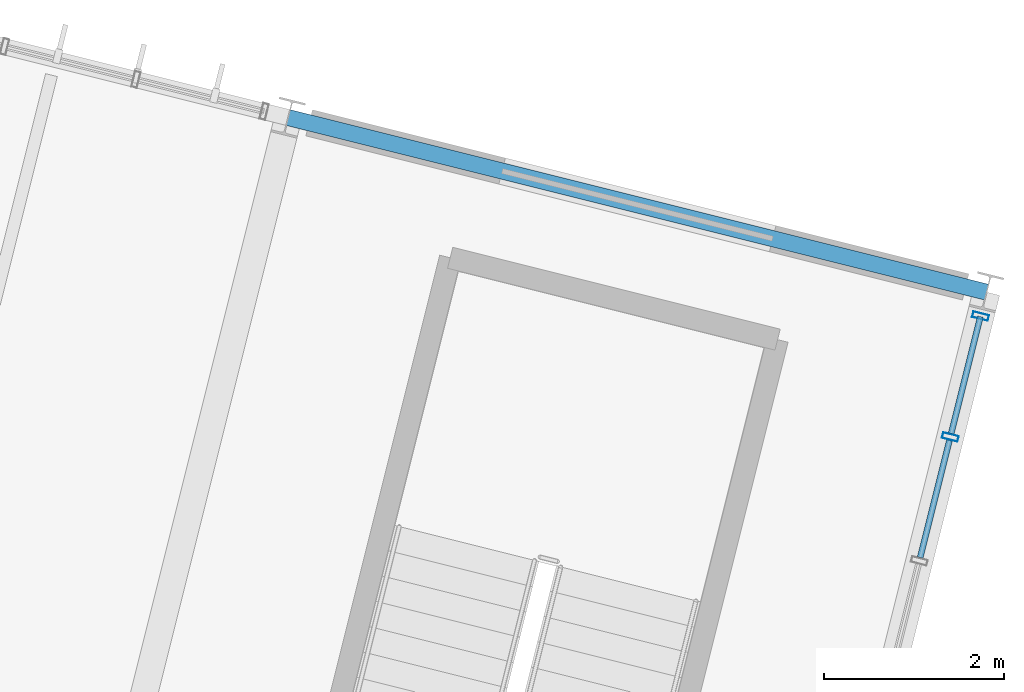
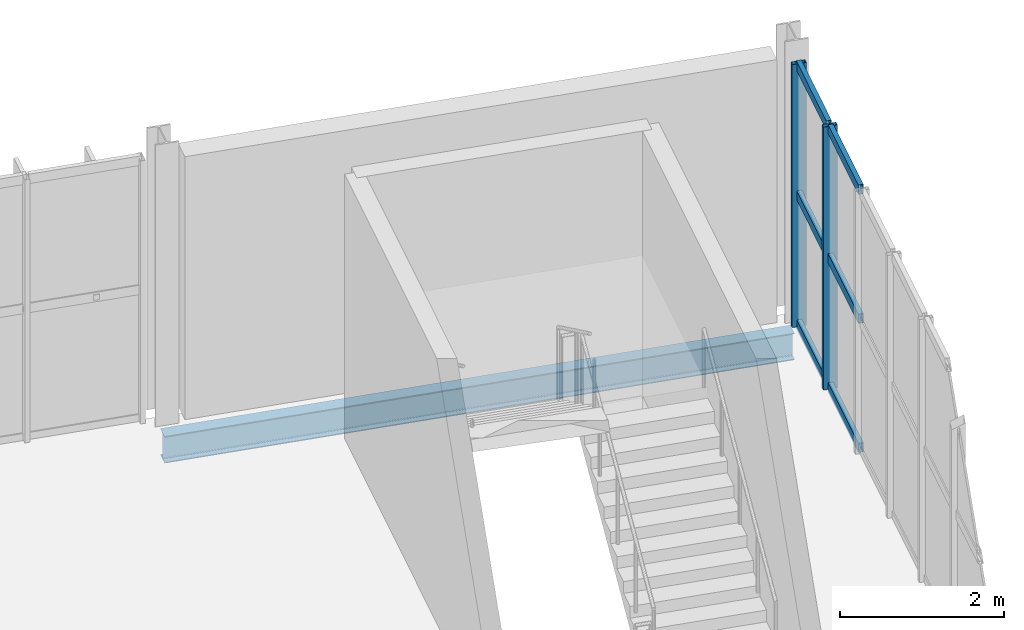
# One storey, part 39 of 61: 8 members, 1 beam, 1 element without a shape of its own.
"""IFC4 building model written with IfcOpenShell, lengths in metres."""

from ifc_helpers import new_model, si_unit, derived_unit, direction, frame, origin, origin_2d, place, context, subcontext, project, spatial, hollow_rectangle, i_section, extrude, material, material_profile, profile_set, type_object, element, aggregate, save


model = new_model("IFC4")

# Units and contexts
model_context = context("Model", 3, precision=1e-05, world=origin(), true_north=direction((0.0, 1.0)))
body_context = subcontext(model_context, "Body", "Model", "MODEL_VIEW")
ifc_project = project(units=[si_unit("LENGTHUNIT", "METRE"), si_unit("AREAUNIT", "SQUARE_METRE"), si_unit("VOLUMEUNIT", "CUBIC_METRE"), si_unit("PLANEANGLEUNIT", "RADIAN"), si_unit("MASSUNIT", "GRAM", prefix="KILO"), si_unit("THERMODYNAMICTEMPERATUREUNIT", "KELVIN"), si_unit("TIMEUNIT", "SECOND"), derived_unit("THERMALTRANSMITTANCEUNIT", [(si_unit("MASSUNIT", "GRAM", prefix="KILO"), 1), (si_unit("THERMODYNAMICTEMPERATUREUNIT", "KELVIN"), -1), (si_unit("TIMEUNIT", "SECOND"), -3)])], contexts=[model_context])

# Site, building, storey
site_placement = place(None, origin())
site = spatial("IfcSite", under=ifc_project, at=site_placement, CompositionType="ELEMENT")
building_placement = place(site_placement, origin())
building = spatial("IfcBuilding", under=site, at=building_placement, Name="Cambertide Market Hall", CompositionType="ELEMENT")
storey_placement = place(building_placement, frame((0.0, 0.0, 9.89990234375)))
storey = spatial("IfcBuildingStorey", under=building, at=storey_placement, Name="L03", CompositionType="ELEMENT", Elevation=9.89990234375)

# Curtain wall, members
ifc_material_1 = material(Name="Marine Anodized Aluminium 6063-T6 AA25", Category="aluminium")
curtain_wall_type = type_object("IfcCurtainWallType", Name="Cooking School Classroom Curtain Wall", PredefinedType="USERDEFINED", material=ifc_material_1)
curtain_wall_placement = place(storey_placement, origin())
curtain_wall = element("IfcCurtainWall", 1, at=curtain_wall_placement, inside=storey, type_object=curtain_wall_type, Name="Level 3 Curtain Wall CW-V4E-L03-3", ObjectType="UNITIZED CURTAIN WALL", PredefinedType="USERDEFINED")
ifc_material_2 = material(Name="Champagne Marine Anodized Aluminium 6063-T6 AA25", Category="aluminium")
ifc_material_profile_1 = material_profile(ifc_material_2, hollow_rectangle(XDim=0.06494140625, YDim=0.179931640625, WallThickness=0.00390625, at=origin_2d()), Name="ALU MULLION 65x180")
ifc_profile_set_1 = profile_set([ifc_material_profile_1], Name="Champagne Marine Anodized Aluminium 6063-T6 AA25")
member_type_1 = type_object("IfcMemberType", Name="Curtain Wall Mullion ALU MULLION 65x180", PredefinedType="MULLION", material=ifc_profile_set_1)
member_1_placement = place(storey_placement, frame((176.57080078125, 110.40478515625, 0.0), z_axis=(0.0, 0.0, 1.0), x_axis=(-0.242535569805, -0.970142513953, 0.0)))
member_1 = element("IfcMember", 2, at=member_1_placement, type_object=member_type_1, Name="CW-V4E-L03-3 Mullion 1", PredefinedType="MULLION", context=body_context, shape_type="SweptSolid", body=[
    extrude(hollow_rectangle(XDim=0.06494140625, YDim=0.179931640625, WallThickness=0.00390625, at=origin_2d()), origin(), (0.0, 0.0, 1.0), 3.920166015625),
])
member_2_placement = place(storey_placement, frame((176.23486328125, 109.06103515625, 0.0), z_axis=(0.0, 0.0, 1.0), x_axis=(-0.242535569805, -0.970142513953, 0.0)))
member_2 = element("IfcMember", 3, at=member_2_placement, type_object=member_type_1, Name="CW-V4E-L03-3 Mullion 2", PredefinedType="MULLION", context=body_context, shape_type="SweptSolid", body=[
    extrude(hollow_rectangle(XDim=0.06494140625, YDim=0.179931640625, WallThickness=0.00390625, at=origin_2d()), origin(), (0.0, 0.0, 1.0), 3.920166015625),
])
ifc_material_3 = material(Name="Champagne Marine Anodized Aluminium 6063-T6 AA25", Category="aluminium")
ifc_material_profile_2 = material_profile(ifc_material_3, hollow_rectangle(XDim=0.06494140625, YDim=0.139892578125, WallThickness=0.00341796875, at=origin_2d()), Name="ALU TRANSOM 65x140")
ifc_profile_set_2 = profile_set([ifc_material_profile_2], Name="Champagne Marine Anodized Aluminium 6063-T6 AA25")
member_type_2 = type_object("IfcMemberType", Name="Curtain Wall Transom ALU TRANSOM 65x140", PredefinedType="USERDEFINED", material=ifc_profile_set_2)
member_3_placement = place(storey_placement, frame((176.569580078125, 110.39990234375, 0.03515625), z_axis=(-0.242492756941, -0.970153216163, 0.0), x_axis=(0.970153216163, -0.242492756941, 0.0)))
member_3 = element("IfcMember", 4, at=member_3_placement, type_object=member_type_2, Name="CW-V4E-L03-3 Transom 1-1", ObjectType="TRANSOM", PredefinedType="USERDEFINED", context=body_context, shape_type="SweptSolid", body=[
    extrude(hollow_rectangle(XDim=0.06494140625, YDim=0.139892578125, WallThickness=0.00341796875, at=origin_2d()), origin(), (0.0, 0.0, 1.0), 1.340087890625),
])
member_4_placement = place(storey_placement, frame((176.225341796875, 109.022216796875, 0.03515625), z_axis=(-0.242535625036, -0.970142500145, 0.0), x_axis=(0.970142500145, -0.242535625036, 0.0)))
member_4 = element("IfcMember", 5, at=member_4_placement, type_object=member_type_2, Name="CW-V4E-L03-3 Transom 1-2", ObjectType="TRANSOM", PredefinedType="USERDEFINED", context=body_context, shape_type="SweptSolid", body=[
    extrude(hollow_rectangle(XDim=0.06494140625, YDim=0.139892578125, WallThickness=0.00341796875, at=origin_2d()), origin(), (0.0, 0.0, 1.0), 1.33984375),
])
member_5_placement = place(storey_placement, frame((176.569580078125, 110.39990234375, 1.960205078125), z_axis=(-0.242492756941, -0.970153216163, 0.0), x_axis=(0.970153216163, -0.242492756941, 0.0)))
member_5 = element("IfcMember", 6, at=member_5_placement, type_object=member_type_2, Name="CW-V4E-L03-3 Transom 2-1", ObjectType="TRANSOM", PredefinedType="USERDEFINED", context=body_context, shape_type="SweptSolid", body=[
    extrude(hollow_rectangle(XDim=0.06494140625, YDim=0.139892578125, WallThickness=0.00341796875, at=origin_2d()), origin(), (0.0, 0.0, 1.0), 1.340087890625),
])
member_6_placement = place(storey_placement, frame((176.225341796875, 109.022216796875, 1.960205078125), z_axis=(-0.242535625036, -0.970142500145, 0.0), x_axis=(0.970142500145, -0.242535625036, 0.0)))
member_6 = element("IfcMember", 7, at=member_6_placement, type_object=member_type_2, Name="CW-V4E-L03-3 Transom 2-2", ObjectType="TRANSOM", PredefinedType="USERDEFINED", context=body_context, shape_type="SweptSolid", body=[
    extrude(hollow_rectangle(XDim=0.06494140625, YDim=0.139892578125, WallThickness=0.00341796875, at=origin_2d()), origin(), (0.0, 0.0, 1.0), 1.33984375),
])
member_7_placement = place(storey_placement, frame((176.569580078125, 110.39990234375, 3.885009765625), z_axis=(-0.242492756941, -0.970153216163, 0.0), x_axis=(0.970153216163, -0.242492756941, 0.0)))
member_7 = element("IfcMember", 8, at=member_7_placement, type_object=member_type_2, Name="CW-V4E-L03-3 Transom 3-1", ObjectType="TRANSOM", PredefinedType="USERDEFINED", context=body_context, shape_type="SweptSolid", body=[
    extrude(hollow_rectangle(XDim=0.06494140625, YDim=0.139892578125, WallThickness=0.00341796875, at=origin_2d()), origin(), (0.0, 0.0, 1.0), 1.340087890625),
])
member_8_placement = place(storey_placement, frame((176.225341796875, 109.022216796875, 3.885009765625), z_axis=(-0.242535625036, -0.970142500145, 0.0), x_axis=(0.970142500145, -0.242535625036, 0.0)))
member_8 = element("IfcMember", 9, at=member_8_placement, type_object=member_type_2, Name="CW-V4E-L03-3 Transom 3-2", ObjectType="TRANSOM", PredefinedType="USERDEFINED", context=body_context, shape_type="SweptSolid", body=[
    extrude(hollow_rectangle(XDim=0.06494140625, YDim=0.139892578125, WallThickness=0.00341796875, at=origin_2d()), origin(), (0.0, 0.0, 1.0), 1.33984375),
])
aggregate(curtain_wall, [member_1, member_2, member_3, member_4, member_5, member_6, member_7, member_8])

# Beam
ifc_material_4 = material(Name="Steel S355", Category="steel")
ifc_material_profile_3 = material_profile(ifc_material_4, i_section(OverallWidth=0.179931640625, OverallDepth=0.39990234375, WebThickness=0.008544921875, FlangeThickness=0.013427734375, FilletRadius=0.02099609375, at=origin_2d()), Name="IPE 400")
ifc_profile_set_3 = profile_set([ifc_material_profile_3], Name="Steel S355")
beam_type = type_object("IfcBeamType", Name="Perimeter Spandrel Beam IPE 400", PredefinedType="SPANDREL", material=ifc_profile_set_3)
beam_placement = place(storey_placement, frame((168.87646484375, 112.61181640625, -0.44482421875), z_axis=(0.970146090314, -0.242521263911, 0.0), x_axis=(0.242521263911, 0.970146090314, 0.0)))
element("IfcBeam", 10, at=beam_placement, inside=storey, type_object=beam_type, Name="Level 3 Spandrel BM-V4U-L03-8-4", PredefinedType="SPANDREL", context=body_context, shape_type="SweptSolid", body=[
    extrude(i_section(OverallWidth=0.179931640625, OverallDepth=0.39990234375, WebThickness=0.008544921875, FlangeThickness=0.013427734375, FilletRadius=0.02099609375, at=origin_2d()), origin(), (0.0, 0.0, 1.0), 8.0),
])

save(model, "model.ifc")
